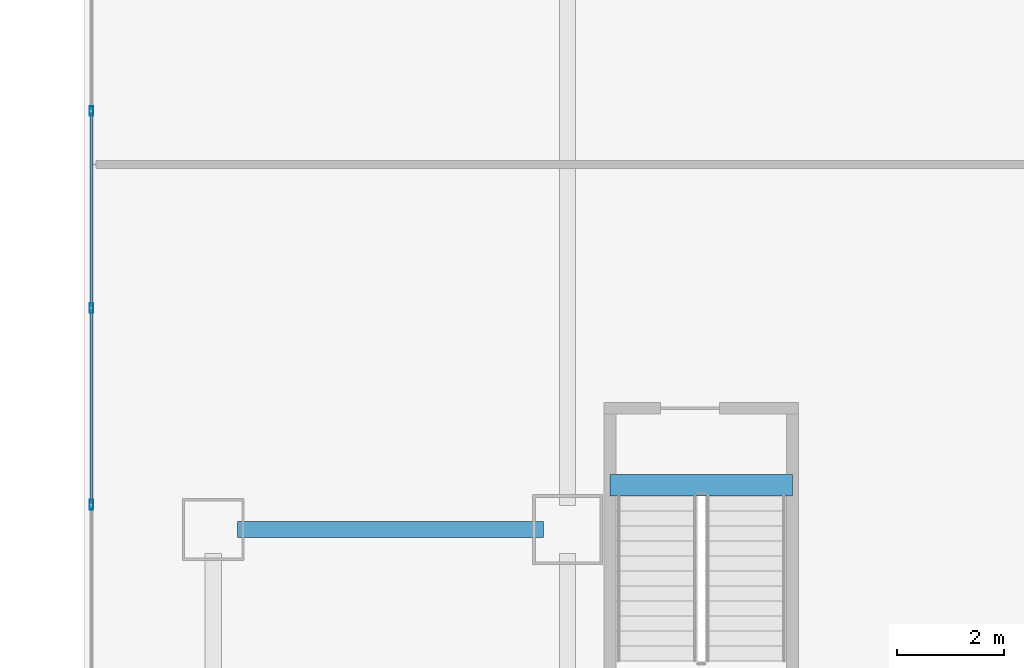
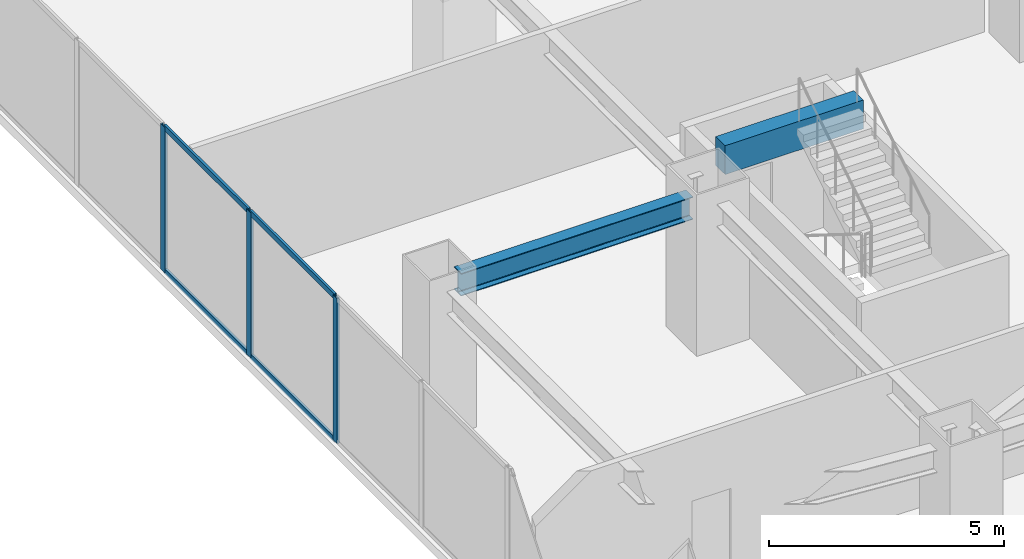
# One storey, part 7 of 32: 7 members, 2 beams, 1 element without a shape of its own.
"""IFC4 building model written with IfcOpenShell, lengths in metres."""

import ifcopenshell
import ifcopenshell.guid

model = None  # the IFC model being written
_history = None  # IfcOwnerHistory: only IFC2X3 demands one
_inside = {}  # id of a spatial element -> (the spatial element, [elements in it])
_under = {}  # id of a project, library or spatial element -> (it, [spatial elements below it])
_declared = {}  # id of a project -> (the project, [libraries it declares])
_typed = {}  # id of a type object -> (the type object, [elements of that type])
_made_of = {}  # id of a material, layer set ... -> (it, [elements and type objects made of it])


def new_model(schema):
    """Start an empty IFC model of exactly this schema.

    Asked for "IFC4X3", IfcOpenShell would pick the latest addendum, in which some entities
    have other attributes; the version numbers below select the first issue.
    IFC2X3 requires an IfcOwnerHistory on every rooted entity: one is made here for all.
    """
    global model, _history
    if schema == "IFC4X3":
        model = ifcopenshell.file(schema_version=(4, 3, 0, 0))
    else:
        model = ifcopenshell.file(schema=schema)
    _inside.clear()
    _under.clear()
    _declared.clear()
    _typed.clear()
    _made_of.clear()
    _history = None
    if model.schema == "IFC2X3":
        org = make("IfcOrganization", Name="unknown")
        user = make(
            "IfcPersonAndOrganization",
            ThePerson=make("IfcPerson", FamilyName="unknown"),
            TheOrganization=org,
        )
        app = make(
            "IfcApplication",
            ApplicationDeveloper=org,
            Version="unknown",
            ApplicationFullName="unknown",
            ApplicationIdentifier="unknown",
        )
        _history = make(
            "IfcOwnerHistory",
            OwningUser=user,
            OwningApplication=app,
            ChangeAction="ADDED",
            CreationDate=0,
        )
    return model


def make(cls, **values):
    """One entity of the class cls with the attributes given. An attribute that is None is left unset."""
    return model.create_entity(
        cls, **{name: value for name, value in values.items() if value is not None}
    )


def rooted(cls, **values):
    """An entity with a GlobalId (a new one), such as an element, a storey or a relation."""
    return make(cls, GlobalId=ifcopenshell.guid.new(), OwnerHistory=_history, **values)


def si_unit(unit_type, name, prefix=None):
    """IfcSIUnit, for example si_unit("LENGTHUNIT", "METRE", prefix="MILLI")."""
    return make("IfcSIUnit", UnitType=unit_type, Prefix=prefix, Name=name)


def assignment(units):
    """IfcUnitAssignment: the units of a project."""
    return None if units is None else make("IfcUnitAssignment", Units=units)


def point(xyz):
    """IfcCartesianPoint."""
    return None if xyz is None else make("IfcCartesianPoint", Coordinates=xyz)


def direction(xyz):
    """IfcDirection."""
    return None if xyz is None else make("IfcDirection", DirectionRatios=xyz)


def frame(location, z_axis=None, x_axis=None):
    """IfcAxis2Placement3D, a coordinate frame: its origin and axes. An axis left out is left unset."""
    return make(
        "IfcAxis2Placement3D",
        Location=point(location),
        Axis=direction(z_axis),
        RefDirection=direction(x_axis),
    )


def frame_2d(location, x_axis=None):
    """IfcAxis2Placement2D, a coordinate frame in the plane: its origin and x axis."""
    return make(
        "IfcAxis2Placement2D", Location=point(location), RefDirection=direction(x_axis)
    )


def origin():
    """The frame at (0, 0, 0) with its axes left unset."""
    return frame((0.0, 0.0, 0.0))


def origin_2d():
    """The frame at (0, 0) in the plane with its x axis left unset."""
    return frame_2d((0.0, 0.0))


def place(relative_to, where):
    """IfcLocalPlacement: puts the frame where relative to a parent placement (None: the world)."""
    return make(
        "IfcLocalPlacement", PlacementRelTo=relative_to, RelativePlacement=where
    )


def context(
    kind, dimensions, precision=None, world=None, true_north=None, identifier=None
):
    """IfcGeometricRepresentationContext, for example the 3D "Model" context."""
    return make(
        "IfcGeometricRepresentationContext",
        ContextIdentifier=identifier,
        ContextType=kind,
        CoordinateSpaceDimension=dimensions,
        Precision=precision,
        WorldCoordinateSystem=world,
        TrueNorth=true_north,
    )


def subcontext(parent, identifier, kind, view, scale=None):
    """IfcGeometricRepresentationSubContext, for example "Body" below "Model"."""
    return make(
        "IfcGeometricRepresentationSubContext",
        ContextIdentifier=identifier,
        ContextType=kind,
        ParentContext=parent,
        TargetScale=scale,
        TargetView=view,
    )


def project(units=None, contexts=None):
    """IfcProject with its units and contexts."""
    return rooted(
        "IfcProject",
        Name="project",
        RepresentationContexts=contexts,
        UnitsInContext=assignment(units),
    )


def spatial(cls, under=None, at=None, **own):
    """A site, building, storey or space (cls), placed at a placement, below another one or the project."""
    s = rooted(cls, ObjectPlacement=at, **own)
    if under is not None:
        _under.setdefault(under.id(), (under, []))[1].append(s)
    return s


def profile(cls, at=None, kind="AREA", **sizes):
    """A parametric profile (cls). Its sizes go by their IFC names, for example OverallWidth=200.0."""
    return make(cls, ProfileType=kind, Position=at, **sizes)


def rectangle(**sizes):
    """IfcRectangleProfileDef."""
    return profile("IfcRectangleProfileDef", **sizes)


def hollow_rectangle(**sizes):
    """IfcRectangleHollowProfileDef."""
    return profile("IfcRectangleHollowProfileDef", **sizes)


def i_section(**sizes):
    """IfcIShapeProfileDef."""
    return profile("IfcIShapeProfileDef", **sizes)


def extrude(swept, where, along, depth):
    """IfcExtrudedAreaSolid: the profile swept, set in the frame where, extruded along a direction by depth."""
    return make(
        "IfcExtrudedAreaSolid",
        SweptArea=swept,
        Position=where,
        ExtrudedDirection=direction(along),
        Depth=depth,
    )


def shape(context_of_items, identifier, shape_type, items):
    """IfcShapeRepresentation: the items that make up one representation, for example the "Body"."""
    return make(
        "IfcShapeRepresentation",
        ContextOfItems=context_of_items,
        RepresentationIdentifier=identifier,
        RepresentationType=shape_type,
        Items=items,
    )


def material(Name=None, Category=None):
    """IfcMaterial."""
    return make("IfcMaterial", Name=Name, Category=Category)


def layer(
    of_material, thickness, ventilated=None, Name=None, Category=None, Priority=None
):
    """IfcMaterialLayer: one layer of a wall or slab, of a material (None: an air gap)."""
    return make(
        "IfcMaterialLayer",
        Material=of_material,
        LayerThickness=thickness,
        IsVentilated=ventilated,
        Name=Name,
        Category=Category,
        Priority=Priority,
    )


def layer_set(layers, Name=None):
    """IfcMaterialLayerSet."""
    return make("IfcMaterialLayerSet", MaterialLayers=layers, LayerSetName=Name)


def material_profile(
    of_material, cross_section, Name=None, Category=None, Priority=None
):
    """IfcMaterialProfile: a cross section and its material."""
    return make(
        "IfcMaterialProfile",
        Name=Name,
        Material=of_material,
        Profile=cross_section,
        Priority=Priority,
        Category=Category,
    )


def profile_set(profiles, Name=None, composite=None):
    """IfcMaterialProfileSet."""
    return make(
        "IfcMaterialProfileSet",
        Name=Name,
        MaterialProfiles=profiles,
        CompositeProfile=composite,
    )


def made_of(thing, what):
    """Note that an element or type object is made of a material, layer set ...; save() writes the relation."""
    if what is not None:
        _made_of.setdefault(what.id(), (what, []))[1].append(thing)
    return thing


def type_object(cls, material=None, **own):
    """A type object (cls), such as IfcWallType, which elements share."""
    return made_of(rooted(cls, **own), material)


def element(
    cls,
    number,
    at=None,
    inside=None,
    cuts=None,
    type_object=None,
    material=None,
    context=None,
    identifier="Body",
    shape_type=None,
    held_by="IfcProductDefinitionShape",
    body=None,
    shapes=None,
    **own,
):
    """One element of the class cls, such as IfcWall. Its Tag is "e" and its number.

    at: its placement. inside: the storey or other place that contains it. cuts: it is an
    opening in that element (IfcRelVoidsElement). A single representation is given by context,
    identifier, shape_type and body (its items); several are given by shapes. held_by: the class
    of the entity that holds the representations. save() writes the other relations.
    """
    e = rooted(cls, Tag="e%d" % number, ObjectPlacement=at, **own)
    if body is not None:
        shapes = [shape(context, identifier, shape_type, body)]
    if shapes is not None:
        e.Representation = make(held_by, Representations=shapes)
    if inside is not None:
        _inside.setdefault(inside.id(), (inside, []))[1].append(e)
    if cuts is not None:
        rooted(
            "IfcRelVoidsElement", RelatingBuildingElement=cuts, RelatedOpeningElement=e
        )
    if type_object is not None:
        _typed.setdefault(type_object.id(), (type_object, []))[1].append(e)
    return made_of(e, material)


def aggregate(whole, parts):
    """IfcRelAggregates: a whole, such as a stair, and the parts it consists of."""
    return rooted("IfcRelAggregates", RelatingObject=whole, RelatedObjects=parts)


def save(model, path):
    """Write the relations noted so far, then the file.

    IfcRelAggregates (storeys below a building ...), IfcRelContainedInSpatialStructure (elements
    in a storey), IfcRelDefinesByType, IfcRelAssociatesMaterial and IfcRelDeclares: one each for
    every whole, place, type object, material and project.
    """
    for whole, parts in _under.values():
        aggregate(whole, parts)
    for where, things in _inside.values():
        rooted(
            "IfcRelContainedInSpatialStructure",
            RelatedElements=things,
            RelatingStructure=where,
        )
    for kind, things in _typed.values():
        rooted("IfcRelDefinesByType", RelatedObjects=things, RelatingType=kind)
    for what, things in _made_of.values():
        rooted("IfcRelAssociatesMaterial", RelatedObjects=things, RelatingMaterial=what)
    for by, libraries in _declared.values():
        rooted("IfcRelDeclares", RelatingContext=by, RelatedDefinitions=libraries)
    model.write(path)


model = new_model("IFC4")

# Units and contexts
model_context = context("Model", 3, precision=1e-05, world=origin(), true_north=direction((0.0, 1.0)))
body_context = subcontext(model_context, "Body", "Model", "MODEL_VIEW")
ifc_project = project(units=[si_unit("LENGTHUNIT", "METRE"), si_unit("AREAUNIT", "SQUARE_METRE"), si_unit("VOLUMEUNIT", "CUBIC_METRE"), si_unit("PLANEANGLEUNIT", "RADIAN"), si_unit("MASSUNIT", "GRAM", prefix="KILO")], contexts=[model_context])

# Site, building, storey
site_placement = place(None, origin())
site = spatial("IfcSite", under=ifc_project, at=site_placement, CompositionType="ELEMENT")
building_placement = place(site_placement, origin())
building = spatial("IfcBuilding", under=site, at=building_placement, Name="Haolan Belvedere Tower", CompositionType="ELEMENT")
storey_placement = place(building_placement, frame((0.0, 0.0, 15.60009765625)))
storey = spatial("IfcBuildingStorey", under=building, at=storey_placement, Name="L03", CompositionType="ELEMENT", Elevation=15.60009765625)

# Beams
ifc_material_1 = material(Name="Steel Q355B", Category="steel")
ifc_material_profile_1 = material_profile(ifc_material_1, i_section(OverallWidth=0.300048828125, OverallDepth=0.587890625, WebThickness=0.011962890625, FlangeThickness=0.02001953125, FilletRadius=0.028076171875, at=origin_2d()), Name="Steel Q355B")
ifc_profile_set_1 = profile_set([ifc_material_profile_1], Name="Steel Q355B")
beam_type_1 = type_object("IfcBeamType", Name="BM-HM588x300x12x20", PredefinedType="SPANDREL", material=ifc_profile_set_1)
beam_1_placement = place(storey_placement, frame((6.449951171875, 27.60009765625, 3.48583984375), z_axis=(1.0, 0.0, 0.0), x_axis=(0.0, 1.0, 0.0)))
element("IfcBeam", 1, at=beam_1_placement, inside=storey, type_object=beam_type_1, Name="L03 spandrel girder MC-T1-NW-MC-T2-MW", PredefinedType="SPANDREL", context=body_context, shape_type="SweptSolid", body=[
    extrude(i_section(OverallWidth=0.300048828125, OverallDepth=0.587890625, WebThickness=0.011962890625, FlangeThickness=0.02001953125, FilletRadius=0.028076171875, at=origin_2d()), origin(), (0.0, 0.0, 1.0), 5.699951171875),
])
ifc_material_2 = material(Name="Concrete C50/60", Category="concrete")
ifc_material_profile_2 = material_profile(ifc_material_2, rectangle(XDim=0.39990234375, YDim=0.75, at=origin_2d()), Name="Concrete C50/60")
ifc_profile_set_2 = profile_set([ifc_material_profile_2], Name="Concrete C50/60")
beam_type_2 = type_object("IfcBeamType", Name="BM-RC400x750", PredefinedType="T_BEAM", material=ifc_profile_set_2)
beam_2_placement = place(storey_placement, frame((13.389892578125, 28.429931640625, 3.824951171875), z_axis=(1.0, 0.0, 0.0), x_axis=(0.0, 1.0, 0.0)))
element("IfcBeam", 2, at=beam_2_placement, inside=storey, type_object=beam_type_2, Name="L04 podium stair ST4 RC header trimmer beam", PredefinedType="BEAM", context=body_context, shape_type="SweptSolid", body=[
    extrude(rectangle(XDim=0.39990234375, YDim=0.75, at=origin_2d()), origin(), (0.0, 0.0, 1.0), 3.400146484375),
])

# Curtain wall, members
ifc_material_3 = material(Name="Anodised champagne-silver aluminium 6063-T6 and Low-E glass", Category="aluminium")
ifc_layer = layer(ifc_material_3, 0.179931640625, Name="Anodised champagne-silver aluminium 6063-T6 and Low-E glass")
ifc_layer_set = layer_set([ifc_layer], Name="Anodised champagne-silver aluminium 6063-T6 and Low-E glass")
curtain_wall_type = type_object("IfcCurtainWallType", Name="CW-SYS-01", PredefinedType="NOTDEFINED", material=ifc_layer_set)
curtain_wall_placement = place(storey_placement, origin())
curtain_wall = element("IfcCurtainWall", 3, at=curtain_wall_placement, inside=storey, type_object=curtain_wall_type, Name="L03 CW-SYS-01 ribbon curtain wall 4.1", PredefinedType="NOTDEFINED")
ifc_material_4 = material(Name="Anodised aluminium 6063-T6", Category="aluminium")
ifc_material_profile_3 = material_profile(ifc_material_4, hollow_rectangle(XDim=0.06494140625, YDim=0.179931640625, WallThickness=0.00390625, at=origin_2d()), Name="Anodised aluminium 6063-T6")
ifc_profile_set_3 = profile_set([ifc_material_profile_3], Name="Anodised aluminium 6063-T6")
member_type_1 = type_object("IfcMemberType", Name="CW-SYS-01-MUL", PredefinedType="MULLION", material=ifc_profile_set_3)
member_1_placement = place(storey_placement, frame((3.72998046875, 35.395263671875, 0.0), z_axis=(0.0, 0.0, 1.0), x_axis=(1.0, 0.0, 0.0)))
member_1 = element("IfcMember", 4, at=member_1_placement, type_object=member_type_1, Name="CW-01 mullion 6", PredefinedType="MULLION", context=body_context, shape_type="SweptSolid", body=[
    extrude(hollow_rectangle(XDim=0.06494140625, YDim=0.179931640625, WallThickness=0.00390625, at=origin_2d()), origin(), (0.0, 0.0, 1.0), 3.77978515625),
])
member_2_placement = place(storey_placement, frame((3.72998046875, 31.728515625, 0.0), z_axis=(0.0, 0.0, 1.0), x_axis=(1.0, 0.0, 0.0)))
member_2 = element("IfcMember", 5, at=member_2_placement, type_object=member_type_1, Name="CW-01 mullion 7", PredefinedType="MULLION", context=body_context, shape_type="SweptSolid", body=[
    extrude(hollow_rectangle(XDim=0.06494140625, YDim=0.179931640625, WallThickness=0.00390625, at=origin_2d()), origin(), (0.0, 0.0, 1.0), 3.77978515625),
])
member_3_placement = place(storey_placement, frame((3.72998046875, 28.0615234375, 0.0), z_axis=(0.0, 0.0, 1.0), x_axis=(1.0, 0.0, 0.0)))
member_3 = element("IfcMember", 6, at=member_3_placement, type_object=member_type_1, Name="CW-01 mullion 8", PredefinedType="MULLION", context=body_context, shape_type="SweptSolid", body=[
    extrude(hollow_rectangle(XDim=0.06494140625, YDim=0.179931640625, WallThickness=0.00390625, at=origin_2d()), origin(), (0.0, 0.0, 1.0), 3.77978515625),
])
ifc_material_profile_4 = material_profile(ifc_material_4, hollow_rectangle(XDim=0.06005859375, YDim=0.139892578125, WallThickness=0.00390625, at=origin_2d()), Name="Anodised aluminium 6063-T6")
ifc_profile_set_4 = profile_set([ifc_material_profile_4], Name="Anodised aluminium 6063-T6")
member_type_2 = type_object("IfcMemberType", Name="CW-SYS-01-TRN", PredefinedType="USERDEFINED", material=ifc_profile_set_4)
member_4_placement = place(storey_placement, frame((3.72998046875, 35.36279296875, 0.02978515625), z_axis=(0.0, -1.0, 0.0), x_axis=(1.0, 0.0, 0.0)))
member_4 = element("IfcMember", 7, at=member_4_placement, type_object=member_type_2, Name="CW-01 transom 6.1", ObjectType="TRANSOM", PredefinedType="USERDEFINED", context=body_context, shape_type="SweptSolid", body=[
    extrude(hollow_rectangle(XDim=0.06005859375, YDim=0.139892578125, WallThickness=0.00390625, at=origin_2d()), origin(), (0.0, 0.0, 1.0), 3.601806640625),
])
member_5_placement = place(storey_placement, frame((3.72998046875, 35.36279296875, 3.75), z_axis=(0.0, -1.0, 0.0), x_axis=(1.0, 0.0, 0.0)))
member_5 = element("IfcMember", 8, at=member_5_placement, type_object=member_type_2, Name="CW-01 transom 6.2", ObjectType="TRANSOM", PredefinedType="USERDEFINED", context=body_context, shape_type="SweptSolid", body=[
    extrude(hollow_rectangle(XDim=0.06005859375, YDim=0.139892578125, WallThickness=0.00390625, at=origin_2d()), origin(), (0.0, 0.0, 1.0), 3.601806640625),
])
member_6_placement = place(storey_placement, frame((3.72998046875, 31.696044921875, 0.02978515625), z_axis=(0.0, -1.0, 0.0), x_axis=(1.0, 0.0, 0.0)))
member_6 = element("IfcMember", 9, at=member_6_placement, type_object=member_type_2, Name="CW-01 transom 7.1", ObjectType="TRANSOM", PredefinedType="USERDEFINED", context=body_context, shape_type="SweptSolid", body=[
    extrude(hollow_rectangle(XDim=0.06005859375, YDim=0.139892578125, WallThickness=0.00390625, at=origin_2d()), origin(), (0.0, 0.0, 1.0), 3.60205078125),
])
member_7_placement = place(storey_placement, frame((3.72998046875, 31.696044921875, 3.75), z_axis=(0.0, -1.0, 0.0), x_axis=(1.0, 0.0, 0.0)))
member_7 = element("IfcMember", 10, at=member_7_placement, type_object=member_type_2, Name="CW-01 transom 7.2", ObjectType="TRANSOM", PredefinedType="USERDEFINED", context=body_context, shape_type="SweptSolid", body=[
    extrude(hollow_rectangle(XDim=0.06005859375, YDim=0.139892578125, WallThickness=0.00390625, at=origin_2d()), origin(), (0.0, 0.0, 1.0), 3.60205078125),
])
aggregate(curtain_wall, [member_1, member_2, member_3, member_4, member_5, member_6, member_7])

save(model, "model.ifc")
